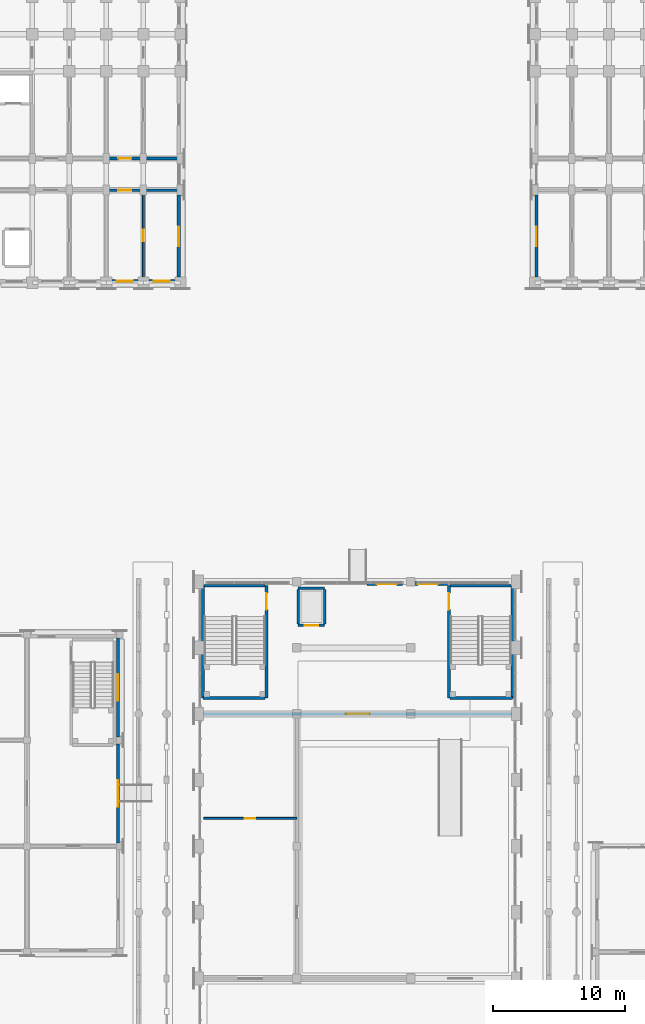
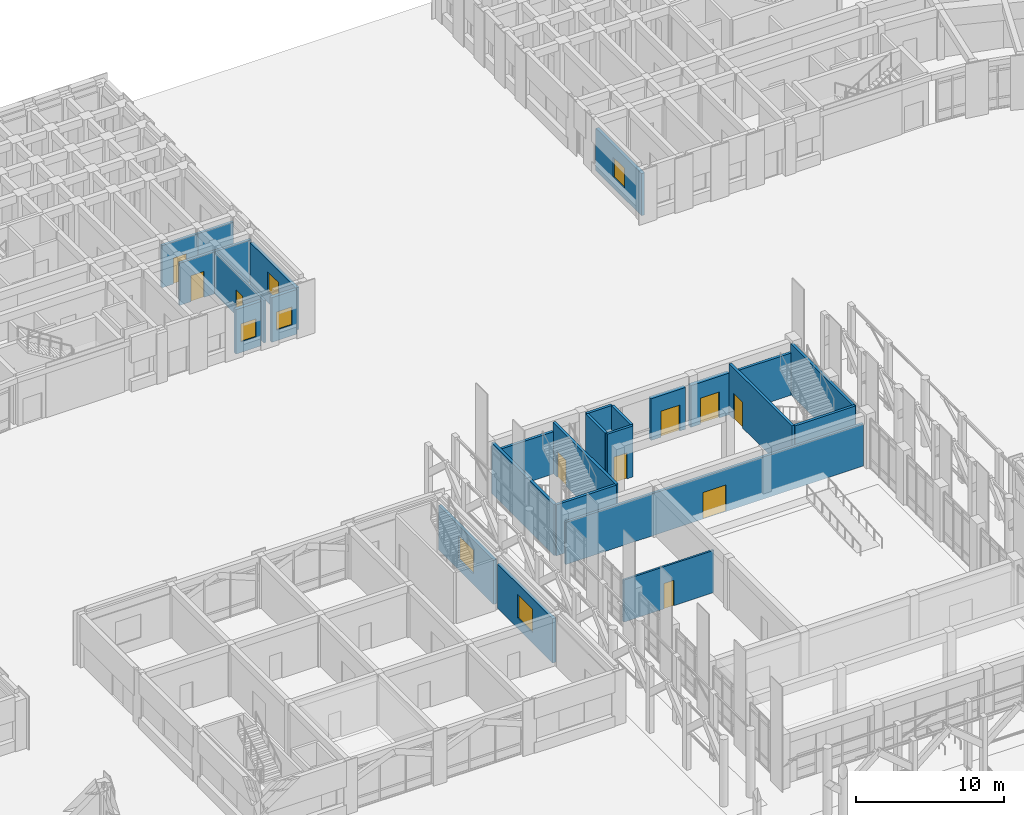
# One storey, part 103 of 135: 27 walls, 10 doors, 6 windows, 16 openings.
"""IFC4 building model written with IfcOpenShell, lengths in metres."""

from ifc_helpers import new_model, si_unit, direction, frame, frame_2d, origin, place, context, subcontext, project, spatial, rectangle, extrude, material, layer, layer_set, type_object, element, fill, save


model = new_model("IFC4")

# Units and contexts
model_context = context("Model", 3, precision=1e-05, world=origin(), true_north=direction((0.0, 1.0)))
body_context = subcontext(model_context, "Body", "Model", "MODEL_VIEW")
ifc_project = project(units=[si_unit("LENGTHUNIT", "METRE"), si_unit("AREAUNIT", "SQUARE_METRE"), si_unit("VOLUMEUNIT", "CUBIC_METRE"), si_unit("PLANEANGLEUNIT", "RADIAN"), si_unit("MASSUNIT", "GRAM", prefix="KILO")], contexts=[model_context])

# Site, building, storey
site_placement = place(None, origin())
site = spatial("IfcSite", under=ifc_project, at=site_placement, CompositionType="ELEMENT")
building_placement = place(site_placement, origin())
building = spatial("IfcBuilding", under=site, at=building_placement, Name="Kiranvali Square Residences", CompositionType="ELEMENT")
storey_placement = place(building_placement, origin())
storey = spatial("IfcBuildingStorey", under=building, at=storey_placement, Name="L00", CompositionType="ELEMENT", Elevation=0.0)

# Wall, opening, door
ifc_material_1 = material(Name="Autoclaved aerated concrete blockwork masonry", Category="masonry")
ifc_layer_1 = layer(ifc_material_1, 0.199951171875)
ifc_layer_set_1 = layer_set([ifc_layer_1], Name="Autoclaved aerated concrete blockwork masonry")
wall_type_1 = type_object("IfcWallType", Name="WL-COR-200", PredefinedType="STANDARD", material=ifc_layer_set_1)
wall_1_placement = place(storey_placement, frame((65.0, 113.60009765625, 0.0), z_axis=(0.0, 0.0, 1.0), x_axis=(1.0, 0.0, 0.0)))
wall_1 = element("IfcWall", 1, at=wall_1_placement, inside=storey, type_object=wall_type_1, Name="L00 architectural wall WL-L00-A-A1CI-2", PredefinedType="STANDARD", context=body_context, shape_type="SweptSolid", body=[
    extrude(rectangle(XDim=2.800048828125, YDim=0.199951171875, at=frame_2d((1.39990234375, 0.0))), origin(), (0.0, 0.0, 1.0), 3.491943359375),
])
opening_1_placement = place(wall_1_placement, frame((0.89990234375, 0.0, 0.0)))
opening_1 = element("IfcOpeningElement", 2, at=opening_1_placement, cuts=wall_1, Name="Opening FD-APT-60", PredefinedType="OPENING", context=body_context, shape_type="SweptSolid", body=[
    extrude(rectangle(XDim=1.0, YDim=2.14990234375, at=frame_2d((0.5, 1.074951171875))), frame((0.0, 0.10986328125, 0.0), z_axis=(0.0, -1.0, 0.0), x_axis=(1.0, 0.0, 0.0)), (0.0, 0.0, 1.0), 0.219970703125),
])
ifc_material_2 = material(Name="Fire-rated acoustic hardwood and mineral-core door assembly", Category="wood")
door_type_1 = type_object("IfcDoorType", Name="DR-APT-1000", OperationType="NOTDEFINED", PredefinedType="DOOR", material=ifc_material_2)
door_1_placement = place(opening_1_placement, origin())
door_1 = element("IfcDoor", 3, at=door_1_placement, inside=storey, type_object=door_type_1, Name="L00 door DR-L00-0061 (DR-APT-1000)", OperationType="SINGLE_SWING_LEFT", OverallHeight=2.14990234375, OverallWidth=1.0, PredefinedType="DOOR", context=body_context, shape_type="SweptSolid", body=[
    extrude(rectangle(XDim=1.0, YDim=2.14990234375, at=frame_2d((0.5, 1.074951171875))), frame((0.0, 0.02490234375, 0.0), z_axis=(0.0, -1.0, 0.0), x_axis=(1.0, 0.0, 0.0)), (0.0, 0.0, 1.0), 0.050048828125),
])
fill(opening_1, door_1)

wall_2_placement = place(storey_placement, frame((65.0, 116.0, 0.0), z_axis=(0.0, 0.0, 1.0), x_axis=(1.0, 0.0, 0.0)))
wall_2 = element("IfcWall", 4, at=wall_2_placement, inside=storey, type_object=wall_type_1, Name="L00 architectural wall WL-L00-A-A1CO-2", PredefinedType="STANDARD", context=body_context, shape_type="SweptSolid", body=[
    extrude(rectangle(XDim=2.800048828125, YDim=0.199951171875, at=frame_2d((1.39990234375, 0.0))), origin(), (0.0, 0.0, 1.0), 3.491943359375),
])
opening_2_placement = place(wall_2_placement, frame((0.89990234375, 0.0, 0.0)))
opening_2 = element("IfcOpeningElement", 5, at=opening_2_placement, cuts=wall_2, Name="Opening FD-APT-60", PredefinedType="OPENING", context=body_context, shape_type="SweptSolid", body=[
    extrude(rectangle(XDim=1.0, YDim=2.14990234375, at=frame_2d((0.5, 1.074951171875))), frame((0.0, 0.10986328125, 0.0), z_axis=(0.0, -1.0, 0.0), x_axis=(1.0, 0.0, 0.0)), (0.0, 0.0, 1.0), 0.219970703125),
])
door_2_placement = place(opening_2_placement, origin())
door_2 = element("IfcDoor", 6, at=door_2_placement, inside=storey, type_object=door_type_1, Name="L00 door DR-L00-0063 (DR-APT-1000)", OperationType="SINGLE_SWING_LEFT", OverallHeight=2.14990234375, OverallWidth=1.0, PredefinedType="DOOR", context=body_context, shape_type="SweptSolid", body=[
    extrude(rectangle(XDim=1.0, YDim=2.14990234375, at=frame_2d((0.5, 1.074951171875))), frame((0.0, 0.02490234375, 0.0), z_axis=(0.0, -1.0, 0.0), x_axis=(1.0, 0.0, 0.0)), (0.0, 0.0, 1.0), 0.050048828125),
])
fill(opening_2, door_2)

# Walls
for number, where, z_axis, x_axis, name in (
    (7, (67.800048828125, 113.60009765625, 0.0), (0.0, 0.0, 1.0), (1.0, 0.0, 0.0), "L00 architectural wall WL-L00-A-A1CI-3"),
    (8, (67.800048828125, 116.0, 0.0), (0.0, 0.0, 1.0), (1.0, 0.0, 0.0), "L00 architectural wall WL-L00-A-A1CO-3"),
):
    element("IfcWall", number, at=place(storey_placement, frame(where, z_axis=z_axis, x_axis=x_axis)), inside=storey, type_object=wall_type_1, Name=name, PredefinedType="STANDARD", context=body_context, shape_type="SweptSolid", body=[
        extrude(rectangle(XDim=2.800048828125, YDim=0.199951171875, at=frame_2d((1.39990234375, 0.0))), origin(), (0.0, 0.0, 1.0), 3.491943359375),
    ])

# Wall, opening, door
wall_3_placement = place(storey_placement, frame((72.35009765625, 74.0, 0.0), z_axis=(0.0, 0.0, 1.0), x_axis=(1.0, 0.0, 0.0)))
wall_3 = element("IfcWall", 9, at=wall_3_placement, inside=storey, type_object=wall_type_1, Name="L00 architectural wall WL-CH-L00-BKS", PredefinedType="STANDARD", context=body_context, shape_type="SweptSolid", body=[
    extrude(rectangle(XDim=23.2998046875, YDim=0.199951171875, at=frame_2d((11.64990234375, 0.0))), origin(), (0.0, 0.0, 1.0), 3.491943359375),
])
opening_3_placement = place(wall_3_placement, frame((10.75, 0.0, 0.0)))
opening_3 = element("IfcOpeningElement", 10, at=opening_3_placement, cuts=wall_3, Name="Opening ED-GLZ-180", PredefinedType="OPENING", context=body_context, shape_type="SweptSolid", body=[
    extrude(rectangle(XDim=1.800048828125, YDim=2.199951171875, at=frame_2d((0.89990234375, 1.10009765625))), frame((0.0, 0.10986328125, 0.0), z_axis=(0.0, -1.0, 0.0), x_axis=(1.0, 0.0, 0.0)), (0.0, 0.0, 1.0), 0.219970703125),
])
ifc_material_3 = material(Name="Anodised bronze aluminium framing", Category="aluminium")
door_type_2 = type_object("IfcDoorType", Name="DR-GLZ-1800", OperationType="DOUBLE_DOOR_SINGLE_SWING", PredefinedType="DOOR", material=ifc_material_3)
door_3_placement = place(opening_3_placement, origin())
door_3 = element("IfcDoor", 11, at=door_3_placement, inside=storey, type_object=door_type_2, Name="L00 door DR-L00-2306 (DR-GLZ-1800)", OperationType="DOUBLE_DOOR_SINGLE_SWING", OverallHeight=2.199951171875, OverallWidth=1.800048828125, PredefinedType="DOOR", context=body_context, shape_type="SweptSolid", body=[
    extrude(rectangle(XDim=1.800048828125, YDim=2.199951171875, at=frame_2d((0.89990234375, 1.10009765625))), frame((0.0, 0.02490234375, 0.0), z_axis=(0.0, -1.0, 0.0), x_axis=(1.0, 0.0, 0.0)), (0.0, 0.0, 1.0), 0.050048828125),
])
fill(opening_3, door_3)

# Wall, opening, window
ifc_material_4 = material(Name="Breathable lime-rendered clay brick masonry", Category="masonry")
ifc_layer_2 = layer(ifc_material_4, 0.25)
ifc_layer_set_2 = layer_set([ifc_layer_2], Name="Breathable lime-rendered clay brick masonry")
wall_type_2 = type_object("IfcWallType", Name="WL-EXT-250", PredefinedType="STANDARD", material=ifc_layer_set_2)
wall_4_placement = place(storey_placement, frame((65.419921875, 106.72509765625, 0.0), z_axis=(0.0, 0.0, 1.0), x_axis=(1.0, 0.0, 0.0)))
wall_4 = element("IfcWall", 12, at=wall_4_placement, inside=storey, type_object=wall_type_2, Name="L00 exterior wall A-L00-A1I-2", PredefinedType="STANDARD", context=body_context, shape_type="SweptSolid", body=[
    extrude(rectangle(XDim=1.9599609375, YDim=0.25, at=frame_2d((0.97998046875, 0.0))), origin(), (0.0, 0.0, 1.0), 3.69189453125),
])
opening_4_placement = place(wall_4_placement, frame((0.3798828125, 0.0, 0.8798828125)))
opening_4 = element("IfcOpeningElement", 13, at=opening_4_placement, cuts=wall_4, Name="Opening W-06", PredefinedType="OPENING", context=body_context, shape_type="SweptSolid", body=[
    extrude(rectangle(XDim=1.199951171875, YDim=1.5, at=frame_2d((0.60009765625, 0.75))), frame((0.0, 0.135009765625, 0.0), z_axis=(0.0, -1.0, 0.0), x_axis=(1.0, 0.0, 0.0)), (0.0, 0.0, 1.0), 0.27001953125),
])
ifc_material_5 = material(Name="Solar-control low-e double glazing", Category="glass")
window_type_1 = type_object("IfcWindowType", Name="WIN-RES-1200x1500", PartitioningType="SINGLE_PANEL", PredefinedType="WINDOW", material=ifc_material_5)
window_1_placement = place(opening_4_placement, origin())
window_1 = element("IfcWindow", 14, at=window_1_placement, inside=storey, type_object=window_type_1, Name="L00 recessed window A-L00-A1I-2", OverallHeight=1.5, OverallWidth=1.199951171875, PartitioningType="SINGLE_PANEL", PredefinedType="WINDOW", context=body_context, shape_type="SweptSolid", body=[
    extrude(rectangle(XDim=1.199951171875, YDim=1.5, at=frame_2d((0.60009765625, 0.75))), frame((0.0, 0.030029296875, 0.0), z_axis=(0.0, -1.0, 0.0), x_axis=(1.0, 0.0, 0.0)), (0.0, 0.0, 1.0), 0.06005859375),
])
fill(opening_4, window_1)

wall_5_placement = place(storey_placement, frame((68.219970703125, 106.72509765625, 0.0), z_axis=(0.0, 0.0, 1.0), x_axis=(1.0, 0.0, 0.0)))
wall_5 = element("IfcWall", 15, at=wall_5_placement, inside=storey, type_object=wall_type_2, Name="L00 exterior wall A-L00-A1I-3", PredefinedType="STANDARD", context=body_context, shape_type="SweptSolid", body=[
    extrude(rectangle(XDim=1.9599609375, YDim=0.25, at=frame_2d((0.97998046875, 0.0))), origin(), (0.0, 0.0, 1.0), 3.69189453125),
])
opening_5_placement = place(wall_5_placement, frame((0.3798828125, 0.0, 0.8798828125)))
opening_5 = element("IfcOpeningElement", 16, at=opening_5_placement, cuts=wall_5, Name="Opening W-06", PredefinedType="OPENING", context=body_context, shape_type="SweptSolid", body=[
    extrude(rectangle(XDim=1.199951171875, YDim=1.5, at=frame_2d((0.60009765625, 0.75))), frame((0.0, 0.135009765625, 0.0), z_axis=(0.0, -1.0, 0.0), x_axis=(1.0, 0.0, 0.0)), (0.0, 0.0, 1.0), 0.27001953125),
])
window_2_placement = place(opening_5_placement, origin())
window_2 = element("IfcWindow", 17, at=window_2_placement, inside=storey, type_object=window_type_1, Name="L00 recessed window A-L00-A1I-3", OverallHeight=1.5, OverallWidth=1.199951171875, PartitioningType="SINGLE_PANEL", PredefinedType="WINDOW", context=body_context, shape_type="SweptSolid", body=[
    extrude(rectangle(XDim=1.199951171875, YDim=1.5, at=frame_2d((0.60009765625, 0.75))), frame((0.0, 0.030029296875, 0.0), z_axis=(0.0, -1.0, 0.0), x_axis=(1.0, 0.0, 0.0)), (0.0, 0.0, 1.0), 0.06005859375),
])
fill(opening_5, window_2)

wall_6_placement = place(storey_placement, frame((70.47509765625, 107.02001953125, 0.0), z_axis=(0.0, 0.0, 1.0), x_axis=(0.0, 1.0, 0.0)))
wall_6 = element("IfcWall", 18, at=wall_6_placement, inside=storey, type_object=wall_type_2, Name="L00 exterior wall A-L00-A1END-0", PredefinedType="STANDARD", context=body_context, shape_type="SweptSolid", body=[
    extrude(rectangle(XDim=6.201416015625, YDim=0.25, at=frame_2d((3.1005859375, 0.0))), origin(), (0.0, 0.0, 1.0), 3.491943359375),
])
opening_6_placement = place(wall_6_placement, frame((2.330078125, 0.0, 0.8798828125)))
opening_6 = element("IfcOpeningElement", 19, at=opening_6_placement, cuts=wall_6, Name="Opening W-05", PredefinedType="OPENING", context=body_context, shape_type="SweptSolid", body=[
    extrude(rectangle(XDim=1.5, YDim=1.64990234375, at=frame_2d((0.75, 0.824951171875))), frame((0.0, 0.135009765625, 0.0), z_axis=(0.0, -1.0, 0.0), x_axis=(1.0, 0.0, 0.0)), (0.0, 0.0, 1.0), 0.27001953125),
])
window_type_2 = type_object("IfcWindowType", Name="WIN-RES-1500x1650", PartitioningType="DOUBLE_PANEL_VERTICAL", PredefinedType="WINDOW", material=ifc_material_5)
window_3_placement = place(opening_6_placement, origin())
window_3 = element("IfcWindow", 20, at=window_3_placement, inside=storey, type_object=window_type_2, Name="L00 recessed window A-L00-A1END-0", OverallHeight=1.64990234375, OverallWidth=1.5, PartitioningType="DOUBLE_PANEL_VERTICAL", PredefinedType="WINDOW", context=body_context, shape_type="SweptSolid", body=[
    extrude(rectangle(XDim=1.5, YDim=1.64990234375, at=frame_2d((0.75, 0.824951171875))), frame((0.0, 0.030029296875, 0.0), z_axis=(0.0, -1.0, 0.0), x_axis=(1.0, 0.0, 0.0)), (0.0, 0.0, 1.0), 0.06005859375),
])
fill(opening_6, window_3)

wall_7_placement = place(storey_placement, frame((97.52490234375, 107.02001953125, 0.0), z_axis=(0.0, 0.0, 1.0), x_axis=(0.0, 1.0, 0.0)))
wall_7 = element("IfcWall", 21, at=wall_7_placement, inside=storey, type_object=wall_type_2, Name="L00 exterior wall B-L00-A1END-0", PredefinedType="STANDARD", context=body_context, shape_type="SweptSolid", body=[
    extrude(rectangle(XDim=6.201416015625, YDim=0.25, at=frame_2d((3.1005859375, 0.0))), origin(), (0.0, 0.0, 1.0), 3.491943359375),
])
opening_7_placement = place(wall_7_placement, frame((2.330078125, 0.0, 0.8798828125)))
opening_7 = element("IfcOpeningElement", 22, at=opening_7_placement, cuts=wall_7, Name="Opening W-05", PredefinedType="OPENING", context=body_context, shape_type="SweptSolid", body=[
    extrude(rectangle(XDim=1.5, YDim=1.64990234375, at=frame_2d((0.75, 0.824951171875))), frame((0.0, 0.135009765625, 0.0), z_axis=(0.0, -1.0, 0.0), x_axis=(1.0, 0.0, 0.0)), (0.0, 0.0, 1.0), 0.27001953125),
])
window_4_placement = place(opening_7_placement, origin())
window_4 = element("IfcWindow", 23, at=window_4_placement, inside=storey, type_object=window_type_2, Name="L00 recessed window B-L00-A1END-0", OverallHeight=1.64990234375, OverallWidth=1.5, PartitioningType="DOUBLE_PANEL_VERTICAL", PredefinedType="WINDOW", context=body_context, shape_type="SweptSolid", body=[
    extrude(rectangle(XDim=1.5, YDim=1.64990234375, at=frame_2d((0.75, 0.824951171875))), frame((0.0, 0.030029296875, 0.0), z_axis=(0.0, -1.0, 0.0), x_axis=(1.0, 0.0, 0.0)), (0.0, 0.0, 1.0), 0.06005859375),
])
fill(opening_7, window_4)

wall_8_placement = place(storey_placement, frame((65.875, 64.25341796875, 0.0), z_axis=(0.0, 0.0, 1.0), x_axis=(0.0, 1.0, 0.0)))
wall_8 = element("IfcWall", 24, at=wall_8_placement, inside=storey, type_object=wall_type_2, Name="L00 exterior wall NR-L00-E-1", PredefinedType="STANDARD", context=body_context, shape_type="SweptSolid", body=[
    extrude(rectangle(XDim=7.4931640625, YDim=0.25, at=frame_2d((3.74658203125, 0.0))), origin(), (0.0, 0.0, 1.0), 3.672119140625),
])
opening_8_placement = place(wall_8_placement, frame((2.74658203125, 0.0, 0.8798828125)))
opening_8 = element("IfcOpeningElement", 25, at=opening_8_placement, cuts=wall_8, Name="Opening W-08", PredefinedType="OPENING", context=body_context, shape_type="SweptSolid", body=[
    extrude(rectangle(XDim=2.0, YDim=1.949951171875, at=frame_2d((1.0, 0.97509765625))), frame((0.0, 0.135009765625, 0.0), z_axis=(0.0, -1.0, 0.0), x_axis=(1.0, 0.0, 0.0)), (0.0, 0.0, 1.0), 0.27001953125),
])
window_type_3 = type_object("IfcWindowType", Name="WIN-PAV-2000x1950", PartitioningType="TRIPLE_PANEL_VERTICAL", PredefinedType="WINDOW", material=ifc_material_5)
window_5_placement = place(opening_8_placement, origin())
window_5 = element("IfcWindow", 26, at=window_5_placement, inside=storey, type_object=window_type_3, Name="L00 recessed window NR-L00-E-1", OverallHeight=1.949951171875, OverallWidth=2.0, PartitioningType="TRIPLE_PANEL_VERTICAL", PredefinedType="WINDOW", context=body_context, shape_type="SweptSolid", body=[
    extrude(rectangle(XDim=2.0, YDim=1.949951171875, at=frame_2d((1.0, 0.97509765625))), frame((0.0, 0.030029296875, 0.0), z_axis=(0.0, -1.0, 0.0), x_axis=(1.0, 0.0, 0.0)), (0.0, 0.0, 1.0), 0.06005859375),
])
fill(opening_8, window_5)

wall_9_placement = place(storey_placement, frame((65.875, 72.25341796875, 0.0), z_axis=(0.0, 0.0, 1.0), x_axis=(0.0, 1.0, 0.0)))
wall_9 = element("IfcWall", 27, at=wall_9_placement, inside=storey, type_object=wall_type_2, Name="L00 exterior wall NR-L00-E-2", PredefinedType="STANDARD", context=body_context, shape_type="SweptSolid", body=[
    extrude(rectangle(XDim=7.4931640625, YDim=0.25, at=frame_2d((3.74658203125, 0.0))), origin(), (0.0, 0.0, 1.0), 3.672119140625),
])
opening_9_placement = place(wall_9_placement, frame((2.74658203125, 0.0, 0.8798828125)))
opening_9 = element("IfcOpeningElement", 28, at=opening_9_placement, cuts=wall_9, Name="Opening W-08", PredefinedType="OPENING", context=body_context, shape_type="SweptSolid", body=[
    extrude(rectangle(XDim=2.0, YDim=1.949951171875, at=frame_2d((1.0, 0.97509765625))), frame((0.0, 0.135009765625, 0.0), z_axis=(0.0, -1.0, 0.0), x_axis=(1.0, 0.0, 0.0)), (0.0, 0.0, 1.0), 0.27001953125),
])
window_6_placement = place(opening_9_placement, origin())
window_6 = element("IfcWindow", 29, at=window_6_placement, inside=storey, type_object=window_type_3, Name="L00 recessed window NR-L00-E-2", OverallHeight=1.949951171875, OverallWidth=2.0, PartitioningType="TRIPLE_PANEL_VERTICAL", PredefinedType="WINDOW", context=body_context, shape_type="SweptSolid", body=[
    extrude(rectangle(XDim=2.0, YDim=1.949951171875, at=frame_2d((1.0, 0.97509765625))), frame((0.0, 0.030029296875, 0.0), z_axis=(0.0, -1.0, 0.0), x_axis=(1.0, 0.0, 0.0)), (0.0, 0.0, 1.0), 0.06005859375),
])
fill(opening_9, window_6)

# Wall, opening, door
ifc_material_6 = material(Name="Alternating Deccan basalt stone and terracotta brick masonry", Category="masonry")
ifc_layer_3 = layer(ifc_material_6, 0.300048828125)
ifc_layer_set_3 = layer_set([ifc_layer_3], Name="Alternating Deccan basalt stone and terracotta brick masonry")
wall_type_3 = type_object("IfcWallType", Name="WL-EXT-300", PredefinedType="STANDARD", material=ifc_layer_set_3)
wall_10_placement = place(storey_placement, frame((84.699951171875, 83.85009765625, 0.0), z_axis=(0.0, 0.0, 1.0), x_axis=(1.0, 0.0, 0.0)))
wall_10 = element("IfcWall", 30, at=wall_10_placement, inside=storey, type_object=wall_type_3, Name="Community Hall portal wall EW-CH-ENT-NW", PredefinedType="STANDARD", context=body_context, shape_type="SweptSolid", body=[
    extrude(rectangle(XDim=2.699951171875, YDim=0.300048828125, at=frame_2d((1.35009765625, 0.0))), origin(), (0.0, 0.0, 1.0), 3.449951171875),
])
opening_10_placement = place(wall_10_placement, frame((0.75, 0.0, 0.0)))
opening_10 = element("IfcOpeningElement", 31, at=opening_10_placement, cuts=wall_10, Name="Opening ED-EX-150", PredefinedType="OPENING", context=body_context, shape_type="SweptSolid", body=[
    extrude(rectangle(XDim=1.5, YDim=2.14990234375, at=frame_2d((0.75, 1.074951171875))), frame((0.0, 0.159912109375, 0.0), z_axis=(0.0, -1.0, 0.0), x_axis=(1.0, 0.0, 0.0)), (0.0, 0.0, 1.0), 0.320068359375),
])
door_type_3 = type_object("IfcDoorType", Name="DR-EXIT-1500", OperationType="NOTDEFINED", PredefinedType="DOOR", material=ifc_material_2)
door_4_placement = place(opening_10_placement, origin())
door_4 = element("IfcDoor", 32, at=door_4_placement, inside=storey, type_object=door_type_3, Name="Community Hall North-West Garden Exit Door", OperationType="SINGLE_SWING_RIGHT", OverallHeight=2.14990234375, OverallWidth=1.5, PredefinedType="DOOR", context=body_context, shape_type="SweptSolid", body=[
    extrude(rectangle(XDim=1.5, YDim=2.14990234375, at=frame_2d((0.75, 1.074951171875))), frame((0.0, 0.02490234375, 0.0), z_axis=(0.0, -1.0, 0.0), x_axis=(1.0, 0.0, 0.0)), (0.0, 0.0, 1.0), 0.050048828125),
])
fill(opening_10, door_4)

wall_11_placement = place(storey_placement, frame((87.800048828125, 83.85009765625, 0.0), z_axis=(0.0, 0.0, 1.0), x_axis=(1.0, 0.0, 0.0)))
wall_11 = element("IfcWall", 33, at=wall_11_placement, inside=storey, type_object=wall_type_3, Name="Community Hall portal wall EW-CH-ENT-NE", PredefinedType="STANDARD", context=body_context, shape_type="SweptSolid", body=[
    extrude(rectangle(XDim=3.0, YDim=0.300048828125, at=frame_2d((1.5, 0.0))), origin(), (0.0, 0.0, 1.0), 3.449951171875),
])
opening_11_placement = place(wall_11_placement, frame((0.75, 0.0, 0.0)))
opening_11 = element("IfcOpeningElement", 34, at=opening_11_placement, cuts=wall_11, Name="Opening ED-EX-150", PredefinedType="OPENING", context=body_context, shape_type="SweptSolid", body=[
    extrude(rectangle(XDim=1.5, YDim=2.14990234375, at=frame_2d((0.75, 1.074951171875))), frame((0.0, 0.159912109375, 0.0), z_axis=(0.0, -1.0, 0.0), x_axis=(1.0, 0.0, 0.0)), (0.0, 0.0, 1.0), 0.320068359375),
])
door_5_placement = place(opening_11_placement, origin())
door_5 = element("IfcDoor", 35, at=door_5_placement, inside=storey, type_object=door_type_3, Name="Community Hall North-East Garden Exit Door", OperationType="SINGLE_SWING_LEFT", OverallHeight=2.14990234375, OverallWidth=1.5, PredefinedType="DOOR", context=body_context, shape_type="SweptSolid", body=[
    extrude(rectangle(XDim=1.5, YDim=2.14990234375, at=frame_2d((0.75, 1.074951171875))), frame((0.0, 0.02490234375, 0.0), z_axis=(0.0, -1.0, 0.0), x_axis=(1.0, 0.0, 0.0)), (0.0, 0.0, 1.0), 0.050048828125),
])
fill(opening_11, door_5)

ifc_material_7 = material(Name="Acoustic gypsum board drylined partition", Category="gypsum")
ifc_layer_4 = layer(ifc_material_7, 0.14990234375)
ifc_layer_set_4 = layer_set([ifc_layer_4], Name="Acoustic gypsum board drylined partition")
wall_type_4 = type_object("IfcWallType", Name="WL-PRT-150", PredefinedType="PARTITIONING", material=ifc_layer_set_4)
wall_12_placement = place(storey_placement, frame((67.800048828125, 106.800048828125, 0.0), z_axis=(0.0, 0.0, 1.0), x_axis=(0.0, 1.0, 0.0)))
wall_12 = element("IfcWall", 36, at=wall_12_placement, inside=storey, type_object=wall_type_4, Name="L00 architectural wall WL-L00-A-A1TI-3", PredefinedType="PARTITIONING", context=body_context, shape_type="SweptSolid", body=[
    extrude(rectangle(XDim=6.75, YDim=0.14990234375, at=frame_2d((3.375, 0.0))), origin(), (0.0, 0.0, 1.0), 3.491943359375),
])
opening_12_placement = place(wall_12_placement, frame((2.925048828125, 0.0, 0.0)))
opening_12 = element("IfcOpeningElement", 37, at=opening_12_placement, cuts=wall_12, Name="Opening ID-1", PredefinedType="OPENING", context=body_context, shape_type="SweptSolid", body=[
    extrude(rectangle(XDim=0.89990234375, YDim=2.10009765625, at=frame_2d((0.449951171875, 1.050048828125))), frame((0.0, 0.0849609375, 0.0), z_axis=(0.0, -1.0, 0.0), x_axis=(1.0, 0.0, 0.0)), (0.0, 0.0, 1.0), 0.169921875),
])
ifc_material_8 = material(Name="Solid seasoned teak hardwood joinery", Category="wood")
door_type_4 = type_object("IfcDoorType", Name="DR-INT-900", OperationType="NOTDEFINED", PredefinedType="DOOR", material=ifc_material_8)
door_6_placement = place(opening_12_placement, origin())
door_6 = element("IfcDoor", 38, at=door_6_placement, inside=storey, type_object=door_type_4, Name="L00 door DR-L00-0069 (DR-INT-900)", OperationType="SINGLE_SWING_LEFT", OverallHeight=2.10009765625, OverallWidth=0.89990234375, PredefinedType="DOOR", context=body_context, shape_type="SweptSolid", body=[
    extrude(rectangle(XDim=0.89990234375, YDim=2.10009765625, at=frame_2d((0.449951171875, 1.050048828125))), frame((0.0, 0.02490234375, 0.0), z_axis=(0.0, -1.0, 0.0), x_axis=(1.0, 0.0, 0.0)), (0.0, 0.0, 1.0), 0.050048828125),
])
fill(opening_12, door_6)

ifc_layer_5 = layer(ifc_material_1, 0.199951171875)
ifc_layer_set_5 = layer_set([ifc_layer_5], Name="Autoclaved aerated concrete blockwork masonry")
wall_type_5 = type_object("IfcWallType", Name="WL-SHF-200", PredefinedType="STANDARD", material=ifc_layer_set_5)
wall_13_placement = place(storey_placement, frame((79.5, 80.699951171875, 0.0), z_axis=(0.0, 0.0, 1.0), x_axis=(1.0, 0.0, 0.0)))
wall_13 = element("IfcWall", 39, at=wall_13_placement, inside=storey, type_object=wall_type_5, Name="L00 architectural wall WL-CH-L00-LFT-S", PredefinedType="STANDARD", context=body_context, shape_type="SweptSolid", body=[
    extrude(rectangle(XDim=2.0, YDim=0.199951171875, at=frame_2d((1.0, 0.0))), origin(), (0.0, 0.0, 1.0), 4.219970703125),
])
opening_13_placement = place(wall_13_placement, frame((0.489990234375, 0.0, 0.0)))
opening_13 = element("IfcOpeningElement", 40, at=opening_13_placement, cuts=wall_13, Name="Opening LD-PAX-100", PredefinedType="OPENING", context=body_context, shape_type="SweptSolid", body=[
    extrude(rectangle(XDim=1.02001953125, YDim=2.14990234375, at=frame_2d((0.510009765625, 1.074951171875))), frame((0.0, 0.10986328125, 0.0), z_axis=(0.0, -1.0, 0.0), x_axis=(1.0, 0.0, 0.0)), (0.0, 0.0, 1.0), 0.219970703125),
])
door_type_5 = type_object("IfcDoorType", Name="DR-LIFT-1000", OperationType="SLIDING_TO_RIGHT", PredefinedType="DOOR", material=ifc_material_2)
door_7_placement = place(opening_13_placement, origin())
door_7 = element("IfcDoor", 41, at=door_7_placement, inside=storey, type_object=door_type_5, Name="L00 door DR-L00-2298 (DR-LIFT-1000)", OperationType="SLIDING_TO_RIGHT", OverallHeight=2.14990234375, OverallWidth=1.02001953125, PredefinedType="DOOR", context=body_context, shape_type="SweptSolid", body=[
    extrude(rectangle(XDim=1.02001953125, YDim=2.14990234375, at=frame_2d((0.510009765625, 1.074951171875))), frame((0.0, 0.02490234375, 0.0), z_axis=(0.0, -1.0, 0.0), x_axis=(1.0, 0.0, 0.0)), (0.0, 0.0, 1.0), 0.050048828125),
])
fill(opening_13, door_7)

# Walls
wall_14_placement = place(storey_placement, frame((79.5, 83.5, 0.0), z_axis=(0.0, 0.0, 1.0), x_axis=(1.0, 0.0, 0.0)))
element("IfcWall", 42, at=wall_14_placement, inside=storey, type_object=wall_type_5, Name="L00 architectural wall WL-CH-L00-LFT-N", PredefinedType="STANDARD", context=body_context, shape_type="SweptSolid", body=[
    extrude(rectangle(XDim=2.0, YDim=0.199951171875, at=frame_2d((1.0, 0.0))), origin(), (0.0, 0.0, 1.0), 4.219970703125),
])
for number, where, z_axis, x_axis, name in (
    (43, (79.5, 80.800048828125, 0.0), (0.0, 0.0, 1.0), (0.0, 1.0, 0.0), "L00 architectural wall WL-CH-L00-LFT-W"),
    (44, (81.5, 80.800048828125, 0.0), (0.0, 0.0, 1.0), (0.0, 1.0, 0.0), "L00 architectural wall WL-CH-L00-LFT-E"),
):
    element("IfcWall", number, at=place(storey_placement, frame(where, z_axis=z_axis, x_axis=x_axis)), inside=storey, type_object=wall_type_5, Name=name, PredefinedType="STANDARD", context=body_context, shape_type="SweptSolid", body=[
        extrude(rectangle(XDim=2.599853515625, YDim=0.199951171875, at=frame_2d((1.2998046875, 0.0))), origin(), (0.0, 0.0, 1.0), 4.219970703125),
    ])
ifc_layer_6 = layer(ifc_material_1, 0.2099609375)
ifc_layer_set_6 = layer_set([ifc_layer_6], Name="Autoclaved aerated concrete blockwork masonry")
wall_type_6 = type_object("IfcWallType", Name="WL-SHF-210", PredefinedType="STANDARD", material=ifc_layer_set_6)
wall_15_placement = place(storey_placement, frame((72.300048828125, 75.199951171875, 0.0), z_axis=(0.0, 0.0, 1.0), x_axis=(1.0, 0.0, 0.0)))
element("IfcWall", 45, at=wall_15_placement, inside=storey, type_object=wall_type_6, Name="L00 architectural wall WL-CH-L00-ST1-S", PredefinedType="STANDARD", context=body_context, shape_type="SweptSolid", body=[
    extrude(rectangle(XDim=4.699951171875, YDim=0.2099609375, at=frame_2d((2.35009765625, 0.0))), origin(), (0.0, 0.0, 1.0), 4.219970703125),
])
wall_16_placement = place(storey_placement, frame((72.300048828125, 75.199951171875, 0.0), z_axis=(0.0, 0.0, 1.0), x_axis=(0.0, 1.0, 0.0)))
element("IfcWall", 46, at=wall_16_placement, inside=storey, type_object=wall_type_6, Name="L00 architectural wall WL-CH-L00-ST1-W", PredefinedType="STANDARD", context=body_context, shape_type="SweptSolid", body=[
    extrude(rectangle(XDim=8.5, YDim=0.2099609375, at=frame_2d((4.25, 0.0))), origin(), (0.0, 0.0, 1.0), 4.219970703125),
])
wall_17_placement = place(storey_placement, frame((72.39990234375, 83.699951171875, 0.0), z_axis=(0.0, 0.0, 1.0), x_axis=(1.0, 0.0, 0.0)))
element("IfcWall", 47, at=wall_17_placement, inside=storey, type_object=wall_type_6, Name="L00 architectural wall WL-CH-L00-ST1-N", PredefinedType="STANDARD", context=body_context, shape_type="SweptSolid", body=[
    extrude(rectangle(XDim=4.60009765625, YDim=0.2099609375, at=frame_2d((2.300048828125, 0.0))), origin(), (0.0, 0.0, 1.0), 3.491943359375),
])

# Wall, opening, door
wall_18_placement = place(storey_placement, frame((77.10009765625, 75.199951171875, 0.0), z_axis=(0.0, 0.0, 1.0), x_axis=(0.0, 1.0, 0.0)))
wall_18 = element("IfcWall", 48, at=wall_18_placement, inside=storey, type_object=wall_type_6, Name="L00 architectural wall WL-CH-L00-ST1-E", PredefinedType="STANDARD", context=body_context, shape_type="SweptSolid", body=[
    extrude(rectangle(XDim=8.5, YDim=0.2099609375, at=frame_2d((4.25, 0.0))), origin(), (0.0, 0.0, 1.0), 4.219970703125),
])
opening_14_placement = place(wall_18_placement, frame((6.68994140625, 0.0, 0.0)))
opening_14 = element("IfcOpeningElement", 49, at=opening_14_placement, cuts=wall_18, Name="Opening FD-ST-120", PredefinedType="OPENING", context=body_context, shape_type="SweptSolid", body=[
    extrude(rectangle(XDim=1.239990234375, YDim=2.14990234375, at=frame_2d((0.6201171875, 1.074951171875))), frame((0.0, 0.114990234375, 0.0), z_axis=(0.0, -1.0, 0.0), x_axis=(1.0, 0.0, 0.0)), (0.0, 0.0, 1.0), 0.22998046875),
])
door_type_6 = type_object("IfcDoorType", Name="DR-FD120-1200", OperationType="NOTDEFINED", PredefinedType="DOOR", material=ifc_material_2)
door_8_placement = place(opening_14_placement, frame((1.239990234375, 0.0, 0.0), z_axis=(0.0, 0.0, 1.0), x_axis=(-1.0, 0.0, 0.0)))
door_8 = element("IfcDoor", 50, at=door_8_placement, inside=storey, type_object=door_type_6, Name="L00 door DR-L00-2296 (DR-FD120-1200)", OperationType="SINGLE_SWING_RIGHT", OverallHeight=2.14990234375, OverallWidth=1.239990234375, PredefinedType="DOOR", context=body_context, shape_type="SweptSolid", body=[
    extrude(rectangle(XDim=1.239990234375, YDim=2.14990234375, at=frame_2d((0.6201171875, 1.074951171875))), frame((0.0, 0.02490234375, 0.0), z_axis=(0.0, -1.0, 0.0), x_axis=(1.0, 0.0, 0.0)), (0.0, 0.0, 1.0), 0.050048828125),
])
fill(opening_14, door_8)

# Walls
wall_19_placement = place(storey_placement, frame((91.0, 75.199951171875, 0.0), z_axis=(0.0, 0.0, 1.0), x_axis=(1.0, 0.0, 0.0)))
element("IfcWall", 51, at=wall_19_placement, inside=storey, type_object=wall_type_6, Name="L00 architectural wall WL-CH-L00-ST2-S", PredefinedType="STANDARD", context=body_context, shape_type="SweptSolid", body=[
    extrude(rectangle(XDim=4.699951171875, YDim=0.2099609375, at=frame_2d((2.35009765625, 0.0))), origin(), (0.0, 0.0, 1.0), 4.219970703125),
])
wall_20_placement = place(storey_placement, frame((95.699951171875, 75.199951171875, 0.0), z_axis=(0.0, 0.0, 1.0), x_axis=(0.0, 1.0, 0.0)))
element("IfcWall", 52, at=wall_20_placement, inside=storey, type_object=wall_type_6, Name="L00 architectural wall WL-CH-L00-ST2-E", PredefinedType="STANDARD", context=body_context, shape_type="SweptSolid", body=[
    extrude(rectangle(XDim=8.5, YDim=0.2099609375, at=frame_2d((4.25, 0.0))), origin(), (0.0, 0.0, 1.0), 4.219970703125),
])
wall_21_placement = place(storey_placement, frame((91.0, 83.699951171875, 0.0), z_axis=(0.0, 0.0, 1.0), x_axis=(1.0, 0.0, 0.0)))
element("IfcWall", 53, at=wall_21_placement, inside=storey, type_object=wall_type_6, Name="L00 architectural wall WL-CH-L00-ST2-N", PredefinedType="STANDARD", context=body_context, shape_type="SweptSolid", body=[
    extrude(rectangle(XDim=4.60009765625, YDim=0.2099609375, at=frame_2d((2.300048828125, 0.0))), origin(), (0.0, 0.0, 1.0), 3.491943359375),
])

# Wall, opening, door
wall_22_placement = place(storey_placement, frame((90.89990234375, 75.199951171875, 0.0), z_axis=(0.0, 0.0, 1.0), x_axis=(0.0, 1.0, 0.0)))
wall_22 = element("IfcWall", 54, at=wall_22_placement, inside=storey, type_object=wall_type_6, Name="L00 architectural wall WL-CH-L00-ST2-W", PredefinedType="STANDARD", context=body_context, shape_type="SweptSolid", body=[
    extrude(rectangle(XDim=8.5, YDim=0.2099609375, at=frame_2d((4.25, 0.0))), origin(), (0.0, 0.0, 1.0), 4.219970703125),
])
opening_15_placement = place(wall_22_placement, frame((6.68994140625, 0.0, 0.0)))
opening_15 = element("IfcOpeningElement", 55, at=opening_15_placement, cuts=wall_22, Name="Opening FD-ST-120", PredefinedType="OPENING", context=body_context, shape_type="SweptSolid", body=[
    extrude(rectangle(XDim=1.239990234375, YDim=2.14990234375, at=frame_2d((0.6201171875, 1.074951171875))), frame((0.0, 0.114990234375, 0.0), z_axis=(0.0, -1.0, 0.0), x_axis=(1.0, 0.0, 0.0)), (0.0, 0.0, 1.0), 0.22998046875),
])
door_9_placement = place(opening_15_placement, origin())
door_9 = element("IfcDoor", 56, at=door_9_placement, inside=storey, type_object=door_type_6, Name="L00 door DR-L00-2297 (DR-FD120-1200)", OperationType="SINGLE_SWING_LEFT", OverallHeight=2.14990234375, OverallWidth=1.239990234375, PredefinedType="DOOR", context=body_context, shape_type="SweptSolid", body=[
    extrude(rectangle(XDim=1.239990234375, YDim=2.14990234375, at=frame_2d((0.6201171875, 1.074951171875))), frame((0.0, 0.02490234375, 0.0), z_axis=(0.0, -1.0, 0.0), x_axis=(1.0, 0.0, 0.0)), (0.0, 0.0, 1.0), 0.050048828125),
])
fill(opening_15, door_9)

ifc_layer_7 = layer(ifc_material_1, 0.14990234375)
ifc_layer_set_7 = layer_set([ifc_layer_7], Name="Autoclaved aerated concrete blockwork masonry")
wall_type_7 = type_object("IfcWallType", Name="WL-WET-150", PredefinedType="PLUMBINGWALL", material=ifc_layer_set_7)
wall_23_placement = place(storey_placement, frame((72.35009765625, 66.10009765625, 0.0), z_axis=(0.0, 0.0, 1.0), x_axis=(1.0, 0.0, 0.0)))
wall_23 = element("IfcWall", 57, at=wall_23_placement, inside=storey, type_object=wall_type_7, Name="L00 architectural wall WL-CH-L00-WC", PredefinedType="PLUMBINGWALL", context=body_context, shape_type="SweptSolid", body=[
    extrude(rectangle(XDim=7.0498046875, YDim=0.14990234375, at=frame_2d((3.52490234375, 0.0))), origin(), (0.0, 0.0, 1.0), 3.491943359375),
])
opening_16_placement = place(wall_23_placement, frame((3.125, 0.0, 0.0)))
opening_16 = element("IfcOpeningElement", 58, at=opening_16_placement, cuts=wall_23, Name="Opening ID-WET", PredefinedType="OPENING", context=body_context, shape_type="SweptSolid", body=[
    extrude(rectangle(XDim=0.800048828125, YDim=2.10009765625, at=frame_2d((0.39990234375, 1.050048828125))), frame((0.0, 0.0849609375, 0.0), z_axis=(0.0, -1.0, 0.0), x_axis=(1.0, 0.0, 0.0)), (0.0, 0.0, 1.0), 0.169921875),
])
door_type_7 = type_object("IfcDoorType", Name="DR-WET-800", OperationType="NOTDEFINED", PredefinedType="DOOR", material=ifc_material_8)
door_10_placement = place(opening_16_placement, origin())
door_10 = element("IfcDoor", 59, at=door_10_placement, inside=storey, type_object=door_type_7, Name="L00 door DR-L00-2305 (DR-WET-800)", OperationType="SINGLE_SWING_LEFT", OverallHeight=2.10009765625, OverallWidth=0.800048828125, PredefinedType="DOOR", context=body_context, shape_type="SweptSolid", body=[
    extrude(rectangle(XDim=0.800048828125, YDim=2.10009765625, at=frame_2d((0.39990234375, 1.050048828125))), frame((0.0, 0.02490234375, 0.0), z_axis=(0.0, -1.0, 0.0), x_axis=(1.0, 0.0, 0.0)), (0.0, 0.0, 1.0), 0.050048828125),
])
fill(opening_16, door_10)

save(model, "model.ifc")
